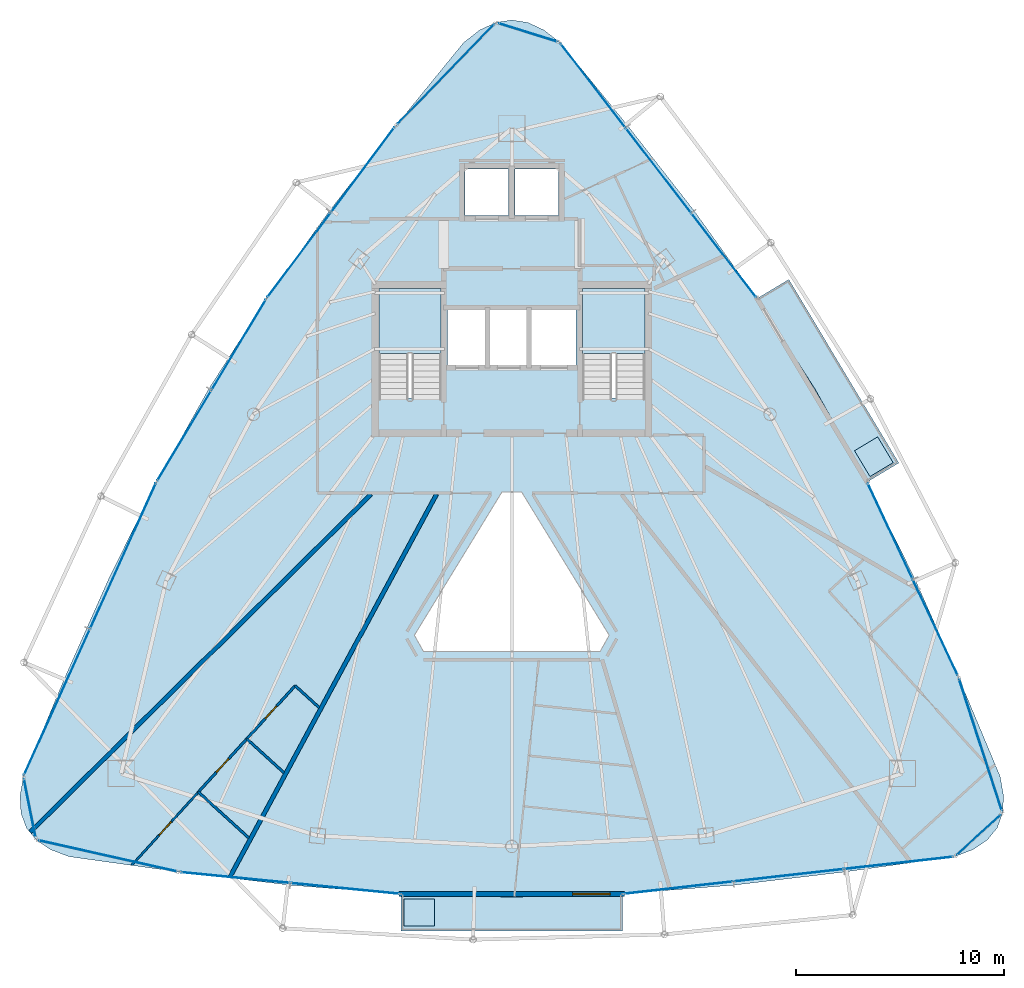
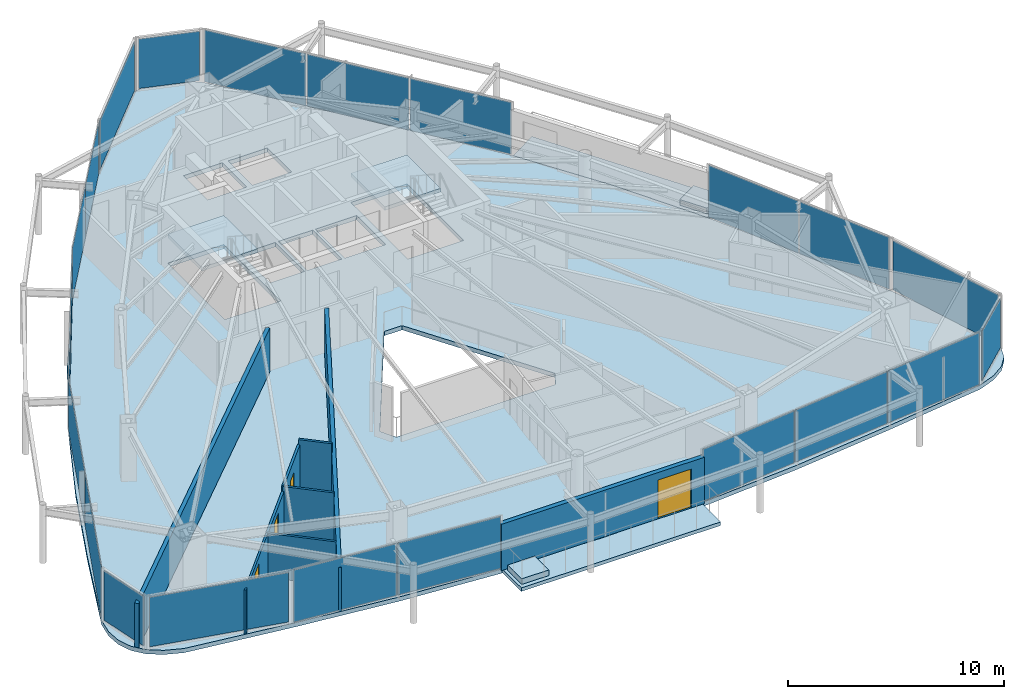
# One storey, part 28 of 33: 22 plates, 9 walls, 7 slabs, 4 doors, 4 openings, 15 elements without a shape of their own.
"""IFC4 building model written with IfcOpenShell, lengths in metres."""

from ifc_helpers import new_model, si_unit, direction, frame, frame_2d, origin, origin_2d, place, context, subcontext, project, spatial, polyline, rectangle, outline, extrude, material, layer, layer_set, type_object, element, fill, aggregate, save


model = new_model("IFC4")

# Units and contexts
model_context = context("Model", 3, precision=1e-05, world=origin(), true_north=direction((0.0, 1.0)))
body_context = subcontext(model_context, "Body", "Model", "MODEL_VIEW")
ifc_project = project(units=[si_unit("LENGTHUNIT", "METRE"), si_unit("AREAUNIT", "SQUARE_METRE"), si_unit("VOLUMEUNIT", "CUBIC_METRE"), si_unit("PLANEANGLEUNIT", "RADIAN"), si_unit("MASSUNIT", "GRAM", prefix="KILO")], contexts=[model_context])

# Site, building, storey
site_placement = place(None, origin())
site = spatial("IfcSite", under=ifc_project, at=site_placement, CompositionType="ELEMENT")
building_placement = place(site_placement, origin())
building = spatial("IfcBuilding", under=site, at=building_placement, Name="Orvanel Arch Residences", CompositionType="ELEMENT")
storey_placement = place(building_placement, frame((0.0, 0.0, 196.39990234375)))
storey = spatial("IfcBuildingStorey", under=building, at=storey_placement, Name="L55", CompositionType="ELEMENT", Elevation=196.39990234375)

# Curtain wall, plates
ifc_material_1 = material(Name="Bronze-anodised aluminium AA6063-T6", Category="aluminium")
ifc_layer_1 = layer(ifc_material_1, 0.175048828125)
ifc_layer_set_1 = layer_set([ifc_layer_1], Name="Bronze-anodised aluminium AA6063-T6")
curtain_wall_type_1 = type_object("IfcCurtainWallType", Name="CW4-HI-SYS", PredefinedType="NOTDEFINED", material=ifc_layer_set_1)
curtain_wall_1_placement = place(storey_placement, origin())
curtain_wall_1 = element("IfcCurtainWall", 1, at=curtain_wall_1_placement, inside=storey, type_object=curtain_wall_type_1, Name="L55 CW4-HI-SYS Unitised Curtain Wall", PredefinedType="NOTDEFINED")
ifc_material_2 = material(Name="Double-glazed solar-control low-E safety glass", Category="glass")
ifc_layer_2 = layer(ifc_material_2, 0.028076171875)
ifc_layer_set_2 = layer_set([ifc_layer_2], Name="Double-glazed solar-control low-E safety glass")
plate_type_1 = type_object("IfcPlateType", Name="PNL-GLZ-28", PredefinedType="CURTAIN_PANEL", material=ifc_layer_set_2)
plate_1_placement = place(storey_placement, frame((25.83154296875, 39.407958984375, 0.06005859375), z_axis=(0.0, 0.0, 1.0), x_axis=(-0.598944172287, -0.800790783216, 0.0)))
plate_1 = element("IfcPlate", 2, at=plate_1_placement, type_object=plate_type_1, Name="CW-S4 panel 1.1", PredefinedType="CURTAIN_PANEL", context=body_context, shape_type="SweptSolid", body=[
    extrude(rectangle(XDim=5.057373046875, YDim=0.028076171875, at=origin_2d()), origin(), (0.0, 0.0, 1.0), 2.93994140625),
])
plate_2_placement = place(storey_placement, frame((22.763427734375, 35.305908203125, 0.06005859375), z_axis=(0.0, 0.0, 1.0), x_axis=(-0.598944172287, -0.800790783216, 0.0)))
plate_2 = element("IfcPlate", 3, at=plate_2_placement, type_object=plate_type_1, Name="CW-S4 panel 2.1", PredefinedType="CURTAIN_PANEL", context=body_context, shape_type="SweptSolid", body=[
    extrude(rectangle(XDim=5.057373046875, YDim=0.028076171875, at=origin_2d()), origin(), (0.0, 0.0, 1.0), 2.93994140625),
])
aggregate(curtain_wall_1, [plate_1, plate_2])

curtain_wall_2_placement = place(storey_placement, origin())
curtain_wall_2 = element("IfcCurtainWall", 4, at=curtain_wall_2_placement, inside=storey, type_object=curtain_wall_type_1, Name="L55 CW4-HI-SYS Unitised Curtain Wall", PredefinedType="NOTDEFINED")
plate_3_placement = place(storey_placement, frame((19.8603515625, 30.9833984375, 0.06005859375), z_axis=(0.0, 0.0, 1.0), x_axis=(-0.514495755426, -0.857492925713, 0.0)))
plate_3 = element("IfcPlate", 5, at=plate_3_placement, type_object=plate_type_1, Name="CW-S4 panel 1.1", PredefinedType="CURTAIN_PANEL", context=body_context, shape_type="SweptSolid", body=[
    extrude(rectangle(XDim=5.03076171875, YDim=0.028076171875, at=origin_2d()), origin(), (0.0, 0.0, 1.0), 2.93994140625),
])
plate_4_placement = place(storey_placement, frame((17.238525390625, 26.61376953125, 0.06005859375), z_axis=(0.0, 0.0, 1.0), x_axis=(-0.514495755426, -0.857492925713, 0.0)))
plate_4 = element("IfcPlate", 6, at=plate_4_placement, type_object=plate_type_1, Name="CW-S4 panel 2.1", PredefinedType="CURTAIN_PANEL", context=body_context, shape_type="SweptSolid", body=[
    extrude(rectangle(XDim=5.03076171875, YDim=0.028076171875, at=origin_2d()), origin(), (0.0, 0.0, 1.0), 2.93994140625),
])
aggregate(curtain_wall_2, [plate_3, plate_4])

curtain_wall_3_placement = place(storey_placement, origin())
curtain_wall_3 = element("IfcCurtainWall", 7, at=curtain_wall_3_placement, inside=storey, type_object=curtain_wall_type_1, Name="L55 CW4-HI-SYS Unitised Curtain Wall", PredefinedType="NOTDEFINED")
plate_5_placement = place(storey_placement, frame((14.289794921875, 20.81787109375, 0.06005859375), z_axis=(0.0, 0.0, 1.0), x_axis=(-0.41176638777, -0.911289439148, 0.0)))
plate_5 = element("IfcPlate", 8, at=plate_5_placement, type_object=plate_type_1, Name="CW-S4 panel 1.1", PredefinedType="CURTAIN_PANEL", context=body_context, shape_type="SweptSolid", body=[
    extrude(rectangle(XDim=7.656982421875, YDim=0.028076171875, at=origin_2d()), origin(), (0.0, 0.0, 1.0), 2.93994140625),
])
plate_6_placement = place(storey_placement, frame((11.110107421875, 13.781005859375, 0.06005859375), z_axis=(0.0, 0.0, 1.0), x_axis=(-0.41176638777, -0.911289439148, 0.0)))
plate_6 = element("IfcPlate", 9, at=plate_6_placement, type_object=plate_type_1, Name="CW-S4 panel 2.1", PredefinedType="CURTAIN_PANEL", context=body_context, shape_type="SweptSolid", body=[
    extrude(rectangle(XDim=7.656982421875, YDim=0.028076171875, at=origin_2d()), origin(), (0.0, 0.0, 1.0), 2.93994140625),
])
aggregate(curtain_wall_3, [plate_5, plate_6])

curtain_wall_4_placement = place(storey_placement, origin())
curtain_wall_4 = element("IfcCurtainWall", 10, at=curtain_wall_4_placement, inside=storey, type_object=curtain_wall_type_1, Name="L55 CW4-HI-SYS Unitised Curtain Wall", PredefinedType="NOTDEFINED")
plate_7_placement = place(storey_placement, frame((19.704345703125, 5.343017578125, 0.06005859375), z_axis=(0.0, 0.0, 1.0), x_axis=(0.99514517761, -0.098417861591, 0.0)))
plate_7 = element("IfcPlate", 11, at=plate_7_placement, type_object=plate_type_1, Name="CW-S4 panel 1.1", PredefinedType="CURTAIN_PANEL", context=body_context, shape_type="SweptSolid", body=[
    extrude(rectangle(XDim=5.23681640625, YDim=0.028076171875, at=origin_2d()), origin(), (0.0, 0.0, 1.0), 2.93994140625),
])
plate_8_placement = place(storey_placement, frame((24.98046875, 4.821044921875, 0.06005859375), z_axis=(0.0, 0.0, 1.0), x_axis=(0.99514517761, -0.098417861591, 0.0)))
plate_8 = element("IfcPlate", 12, at=plate_8_placement, type_object=plate_type_1, Name="CW-S4 panel 2.1", PredefinedType="CURTAIN_PANEL", context=body_context, shape_type="SweptSolid", body=[
    extrude(rectangle(XDim=5.23681640625, YDim=0.028076171875, at=origin_2d()), origin(), (0.0, 0.0, 1.0), 2.93994140625),
])
aggregate(curtain_wall_4, [plate_7, plate_8])

curtain_wall_5_placement = place(storey_placement, origin())
curtain_wall_5 = element("IfcCurtainWall", 13, at=curtain_wall_5_placement, inside=storey, type_object=curtain_wall_type_1, Name="L55 CW4-HI-SYS Unitised Curtain Wall", PredefinedType="NOTDEFINED")
plate_9_placement = place(storey_placement, frame((41.022705078125, 4.85791015625, 0.06005859375), z_axis=(0.0, 0.0, 1.0), x_axis=(0.993730796907, 0.111799388547, 0.0)))
plate_9 = element("IfcPlate", 14, at=plate_9_placement, type_object=plate_type_1, Name="CW-S4 panel 1.1", PredefinedType="CURTAIN_PANEL", context=body_context, shape_type="SweptSolid", body=[
    extrude(rectangle(XDim=5.25146484375, YDim=0.028076171875, at=origin_2d()), origin(), (0.0, 0.0, 1.0), 2.93994140625),
])
plate_10_placement = place(storey_placement, frame((46.322021484375, 5.4541015625, 0.06005859375), z_axis=(0.0, 0.0, 1.0), x_axis=(0.993730796907, 0.111799388547, 0.0)))
plate_10 = element("IfcPlate", 15, at=plate_10_placement, type_object=plate_type_1, Name="CW-S4 panel 2.1", PredefinedType="CURTAIN_PANEL", context=body_context, shape_type="SweptSolid", body=[
    extrude(rectangle(XDim=5.283935546875, YDim=0.028076171875, at=origin_2d()), origin(), (0.0, 0.0, 1.0), 2.93994140625),
])
plate_11_placement = place(storey_placement, frame((51.62109375, 6.05029296875, 0.06005859375), z_axis=(0.0, 0.0, 1.0), x_axis=(0.993730796907, 0.111799388547, 0.0)))
plate_11 = element("IfcPlate", 16, at=plate_11_placement, type_object=plate_type_1, Name="CW-S4 panel 3.1", PredefinedType="CURTAIN_PANEL", context=body_context, shape_type="SweptSolid", body=[
    extrude(rectangle(XDim=5.25146484375, YDim=0.028076171875, at=origin_2d()), origin(), (0.0, 0.0, 1.0), 2.93994140625),
])
aggregate(curtain_wall_5, [plate_9, plate_10, plate_11])

curtain_wall_6_placement = place(storey_placement, origin())
curtain_wall_6 = element("IfcCurtainWall", 17, at=curtain_wall_6_placement, inside=storey, type_object=curtain_wall_type_1, Name="L55 CW4-HI-SYS Unitised Curtain Wall", PredefinedType="NOTDEFINED")
plate_12_placement = place(storey_placement, frame((53.3828125, 17.378662109375, 0.06005859375), z_axis=(0.0, 0.0, 1.0), x_axis=(-0.424493509228, 0.905430980596, 0.0)))
plate_12 = element("IfcPlate", 18, at=plate_12_placement, type_object=plate_type_1, Name="CW-S4 panel 1.1", PredefinedType="CURTAIN_PANEL", context=body_context, shape_type="SweptSolid", body=[
    extrude(rectangle(XDim=5.05810546875, YDim=0.028076171875, at=origin_2d()), origin(), (0.0, 0.0, 1.0), 2.93994140625),
])
plate_13_placement = place(storey_placement, frame((51.208251953125, 22.017333984375, 0.06005859375), z_axis=(0.0, 0.0, 1.0), x_axis=(-0.424493509228, 0.905430980596, 0.0)))
plate_13 = element("IfcPlate", 19, at=plate_13_placement, type_object=plate_type_1, Name="CW-S4 panel 2.1", PredefinedType="CURTAIN_PANEL", context=body_context, shape_type="SweptSolid", body=[
    extrude(rectangle(XDim=5.05810546875, YDim=0.028076171875, at=origin_2d()), origin(), (0.0, 0.0, 1.0), 2.93994140625),
])
aggregate(curtain_wall_6, [plate_12, plate_13])

curtain_wall_7_placement = place(storey_placement, origin())
curtain_wall_7 = element("IfcCurtainWall", 20, at=curtain_wall_7_placement, inside=storey, type_object=curtain_wall_type_1, Name="L55 CW4-HI-SYS Unitised Curtain Wall", PredefinedType="NOTDEFINED")
plate_14_placement = place(storey_placement, frame((43.203125, 35.289794921875, 0.06005859375), z_axis=(0.0, 0.0, 1.0), x_axis=(-0.610134485069, 0.792297867049, 0.0)))
plate_14 = element("IfcPlate", 21, at=plate_14_placement, type_object=plate_type_1, Name="CW-S4 panel 1.1", PredefinedType="CURTAIN_PANEL", context=body_context, shape_type="SweptSolid", body=[
    extrude(rectangle(XDim=5.07177734375, YDim=0.028076171875, at=origin_2d()), origin(), (0.0, 0.0, 1.0), 2.93994140625),
])
plate_15_placement = place(storey_placement, frame((40.05908203125, 39.37255859375, 0.06005859375), z_axis=(0.0, 0.0, 1.0), x_axis=(-0.610134485069, 0.792297867049, 0.0)))
plate_15 = element("IfcPlate", 22, at=plate_15_placement, type_object=plate_type_1, Name="CW-S4 panel 2.1", PredefinedType="CURTAIN_PANEL", context=body_context, shape_type="SweptSolid", body=[
    extrude(rectangle(XDim=5.104248046875, YDim=0.028076171875, at=origin_2d()), origin(), (0.0, 0.0, 1.0), 2.93994140625),
])
plate_16_placement = place(storey_placement, frame((36.914794921875, 43.455322265625, 0.06005859375), z_axis=(0.0, 0.0, 1.0), x_axis=(-0.610134485069, 0.792297867049, 0.0)))
plate_16 = element("IfcPlate", 23, at=plate_16_placement, type_object=plate_type_1, Name="CW-S4 panel 3.1", PredefinedType="CURTAIN_PANEL", context=body_context, shape_type="SweptSolid", body=[
    extrude(rectangle(XDim=5.07177734375, YDim=0.028076171875, at=origin_2d()), origin(), (0.0, 0.0, 1.0), 2.93994140625),
])
aggregate(curtain_wall_7, [plate_14, plate_15, plate_16])

# Curtain wall, plate
ifc_layer_3 = layer(ifc_material_1, 0.18994140625)
ifc_layer_set_3 = layer_set([ifc_layer_3], Name="Bronze-anodised aluminium AA6063-T6")
curtain_wall_type_2 = type_object("IfcCurtainWallType", Name="CW5-CRN-SYS", PredefinedType="NOTDEFINED", material=ifc_layer_set_3)
curtain_wall_8_placement = place(storey_placement, origin())
curtain_wall_8 = element("IfcCurtainWall", 24, at=curtain_wall_8_placement, inside=storey, type_object=curtain_wall_type_2, Name="L55 CW5-CRN-SYS Unitised Curtain Wall", PredefinedType="NOTDEFINED")
ifc_layer_4 = layer(ifc_material_2, 0.031982421875)
ifc_layer_set_4 = layer_set([ifc_layer_4], Name="Double-glazed solar-control low-E safety glass")
plate_type_2 = type_object("IfcPlateType", Name="PNL-GLZ-32", PredefinedType="CURTAIN_PANEL", material=ifc_layer_set_4)
plate_17_placement = place(storey_placement, frame((33.77197265625, 46.012451171875, 0.1298828125), z_axis=(0.0, 0.0, 1.0), x_axis=(-0.954846908843, 0.297098267705, 0.0)))
plate_17 = element("IfcPlate", 25, at=plate_17_placement, type_object=plate_type_2, Name="CW-S5 panel 1.1", PredefinedType="CURTAIN_PANEL", context=body_context, shape_type="SweptSolid", body=[
    extrude(rectangle(XDim=2.894287109375, YDim=0.031982421875, at=origin_2d()), origin(), (0.0, 0.0, 1.0), 2.800048828125),
])
aggregate(curtain_wall_8, [plate_17])

curtain_wall_9_placement = place(storey_placement, origin())
curtain_wall_9 = element("IfcCurtainWall", 26, at=curtain_wall_9_placement, inside=storey, type_object=curtain_wall_type_2, Name="L55 CW5-CRN-SYS Unitised Curtain Wall", PredefinedType="NOTDEFINED")
plate_18_placement = place(storey_placement, frame((29.8125, 43.9970703125, 0.1298828125), z_axis=(0.0, 0.0, 1.0), x_axis=(-0.695356310733, -0.718665152295, 0.0)))
plate_18 = element("IfcPlate", 27, at=plate_18_placement, type_object=plate_type_2, Name="CW-S5 panel 1.1", PredefinedType="CURTAIN_PANEL", context=body_context, shape_type="SweptSolid", body=[
    extrude(rectangle(XDim=6.607177734375, YDim=0.031982421875, at=origin_2d()), origin(), (0.0, 0.0, 1.0), 2.800048828125),
])
aggregate(curtain_wall_9, [plate_18])

curtain_wall_10_placement = place(storey_placement, origin())
curtain_wall_10 = element("IfcCurtainWall", 28, at=curtain_wall_10_placement, inside=storey, type_object=curtain_wall_type_2, Name="L55 CW5-CRN-SYS Unitised Curtain Wall", PredefinedType="NOTDEFINED")
plate_19_placement = place(storey_placement, frame((9.803466796875, 8.6875, 0.1298828125), z_axis=(0.0, 0.0, 1.0), x_axis=(0.195490565454, -0.980705582129, 0.0)))
plate_19 = element("IfcPlate", 29, at=plate_19_placement, type_object=plate_type_2, Name="CW-S5 panel 1.1", PredefinedType="CURTAIN_PANEL", context=body_context, shape_type="SweptSolid", body=[
    extrude(rectangle(XDim=2.7744140625, YDim=0.031982421875, at=origin_2d()), origin(), (0.0, 0.0, 1.0), 2.800048828125),
])
aggregate(curtain_wall_10, [plate_19])

curtain_wall_11_placement = place(storey_placement, origin())
curtain_wall_11 = element("IfcCurtainWall", 30, at=curtain_wall_11_placement, inside=storey, type_object=curtain_wall_type_2, Name="L55 CW5-CRN-SYS Unitised Curtain Wall", PredefinedType="NOTDEFINED")
plate_20_placement = place(storey_placement, frame((13.56103515625, 6.384521484375, 0.1298828125), z_axis=(0.0, 0.0, 1.0), x_axis=(0.975666023426, -0.219261968278, 0.0)))
plate_20 = element("IfcPlate", 31, at=plate_20_placement, type_object=plate_type_2, Name="CW-S5 panel 1.1", PredefinedType="CURTAIN_PANEL", context=body_context, shape_type="SweptSolid", body=[
    extrude(rectangle(XDim=6.7373046875, YDim=0.031982421875, at=origin_2d()), origin(), (0.0, 0.0, 1.0), 2.800048828125),
])
aggregate(curtain_wall_11, [plate_20])

curtain_wall_12_placement = place(storey_placement, origin())
curtain_wall_12 = element("IfcCurtainWall", 32, at=curtain_wall_12_placement, inside=storey, type_object=curtain_wall_type_2, Name="L55 CW5-CRN-SYS Unitised Curtain Wall", PredefinedType="NOTDEFINED")
plate_21_placement = place(storey_placement, frame((55.468017578125, 7.39990234375, 0.1298828125), z_axis=(0.0, 0.0, 1.0), x_axis=(0.740116617889, 0.672478543839, 0.0)))
plate_21 = element("IfcPlate", 33, at=plate_21_placement, type_object=plate_type_2, Name="CW-S5 panel 1.1", PredefinedType="CURTAIN_PANEL", context=body_context, shape_type="SweptSolid", body=[
    extrude(rectangle(XDim=2.775146484375, YDim=0.031982421875, at=origin_2d()), origin(), (0.0, 0.0, 1.0), 2.800048828125),
])
aggregate(curtain_wall_12, [plate_21])

curtain_wall_13_placement = place(storey_placement, origin())
curtain_wall_13 = element("IfcCurtainWall", 34, at=curtain_wall_13_placement, inside=storey, type_object=curtain_wall_type_2, Name="L55 CW5-CRN-SYS Unitised Curtain Wall", PredefinedType="NOTDEFINED")
plate_22_placement = place(storey_placement, frame((55.556396484375, 11.7294921875, 0.1298828125), z_axis=(0.0, 0.0, 1.0), x_axis=(-0.308522517622, 0.951217039439, 0.0)))
plate_22 = element("IfcPlate", 35, at=plate_22_placement, type_object=plate_type_2, Name="CW-S5 panel 1.1", PredefinedType="CURTAIN_PANEL", context=body_context, shape_type="SweptSolid", body=[
    extrude(rectangle(XDim=6.561767578125, YDim=0.031982421875, at=origin_2d()), origin(), (0.0, 0.0, 1.0), 2.800048828125),
])
aggregate(curtain_wall_13, [plate_22])

# Slabs
ifc_material_3 = material(Name="Concrete N40 (40 MPa)", Category="concrete")
ifc_layer_5 = layer(ifc_material_3, 0.199951171875)
ifc_layer_set_5 = layer_set([ifc_layer_5], Name="Concrete N40 (40 MPa)")
slab_type_1 = type_object("IfcSlabType", Name="SLB-BAL-200", PredefinedType="FLOOR", material=ifc_layer_set_5)
slab_1_placement = place(storey_placement, frame((0.0, 0.0, -0.199951171875)))
element("IfcSlab", 36, at=slab_1_placement, inside=storey, type_object=slab_type_1, Name="L55 Cantilevered Balcony Slab Face 2", PredefinedType="FLOOR", context=body_context, shape_type="SweptSolid", body=[
    extrude(outline(polyline([(27.6708984375, 2.77490234375), (38.3291015625, 2.77490234375), (38.3291015625, 4.554931640625), (33.0, 4.406982421875), (27.6708984375, 4.554931640625), (27.6708984375, 2.77490234375)])), origin(), (0.0, 0.0, 1.0), 0.199951171875),
])
slab_2_placement = place(storey_placement, frame((0.0, 0.0, -0.199951171875)))
element("IfcSlab", 37, at=slab_2_placement, inside=storey, type_object=slab_type_1, Name="L55 Cantilevered Balcony Slab Face 3", PredefinedType="FLOOR", context=body_context, shape_type="SweptSolid", body=[
    extrude(outline(polyline([(51.625, 25.299072265625), (46.3291015625, 34.12890625), (44.802001953125, 33.212890625), (47.577880859375, 28.8740234375), (50.09912109375, 24.384033203125), (51.625, 25.299072265625)])), origin(), (0.0, 0.0, 1.0), 0.199951171875),
])

# Stair, slab
ifc_material_4 = material(Name="Precast concrete N50 (50 MPa)", Category="concrete")
stair_type = type_object("IfcStairType", Name="STR-DOG-184", PredefinedType="USERDEFINED", material=ifc_material_4)
stair_1_placement = place(storey_placement, origin())
stair_1 = element("IfcStair", 38, at=stair_1_placement, inside=storey, type_object=stair_type, Name="L55 Fire-Isolated Core Exit Stair 1", ObjectType="TWO_RETURN_STAIR", PredefinedType="USERDEFINED")
ifc_layer_6 = layer(ifc_material_3, 0.199951171875)
ifc_layer_set_6 = layer_set([ifc_layer_6], Name="Concrete N40 (40 MPa)")
slab_type_2 = type_object("IfcSlabType", Name="SLB-LND-200", PredefinedType="LANDING", material=ifc_layer_set_6)
slab_3_placement = place(storey_placement, frame((0.0, 0.0, 1.4501953125)))
slab_3 = element("IfcSlab", 39, at=slab_3_placement, type_object=slab_type_2, Name="ST-1 landing 1", PredefinedType="LANDING", context=body_context, shape_type="SweptSolid", body=[
    extrude(outline(polyline([(29.60009765625, 30.56005859375), (29.60009765625, 33.699951171875), (26.60009765625, 33.699951171875), (26.60009765625, 30.56005859375), (29.60009765625, 30.56005859375)])), origin(), (0.0, 0.0, 1.0), 0.199951171875),
])
aggregate(stair_1, [slab_3])

stair_2_placement = place(storey_placement, origin())
stair_2 = element("IfcStair", 40, at=stair_2_placement, inside=storey, type_object=stair_type, Name="L55 Fire-Isolated Core Exit Stair 2", ObjectType="TWO_RETURN_STAIR", PredefinedType="USERDEFINED")
slab_4_placement = place(storey_placement, frame((0.0, 0.0, 1.4501953125)))
slab_4 = element("IfcSlab", 41, at=slab_4_placement, type_object=slab_type_2, Name="ST-2 landing 1", PredefinedType="LANDING", context=body_context, shape_type="SweptSolid", body=[
    extrude(outline(polyline([(39.39990234375, 30.56005859375), (39.39990234375, 33.699951171875), (36.39990234375, 33.699951171875), (36.39990234375, 30.56005859375), (39.39990234375, 30.56005859375)])), origin(), (0.0, 0.0, 1.0), 0.199951171875),
])
aggregate(stair_2, [slab_4])

# Slabs
ifc_material_5 = material(Name="Structural architectural precast concrete N40 (40 MPa) planter", Category="concrete")
ifc_layer_7 = layer(ifc_material_5, 0.320068359375)
ifc_layer_set_7 = layer_set([ifc_layer_7], Name="Structural architectural precast concrete N40 (40 MPa) planter")
slab_type_3 = type_object("IfcSlabType", Name="SLB-PLN-320", PredefinedType="USERDEFINED", material=ifc_layer_set_7)
slab_5_placement = place(storey_placement, origin())
element("IfcSlab", 42, at=slab_5_placement, inside=storey, type_object=slab_type_3, Name="L55 Balcony TREE PLANTER Face 2", ObjectType="PLANTER", PredefinedType="USERDEFINED", context=body_context, shape_type="SweptSolid", body=[
    extrude(outline(polyline([(27.821044921875, 3.0048828125), (29.27099609375, 3.0048828125), (29.27099609375, 4.304931640625), (27.821044921875, 4.304931640625), (27.821044921875, 3.0048828125)])), origin(), (0.0, 0.0, 1.0), 0.320068359375),
])
slab_6_placement = place(storey_placement, origin())
element("IfcSlab", 43, at=slab_6_placement, inside=storey, type_object=slab_type_3, Name="L55 Balcony TREE PLANTER Face 3", ObjectType="PLANTER", PredefinedType="USERDEFINED", context=body_context, shape_type="SweptSolid", body=[
    extrude(outline(polyline([(51.35107421875, 25.30908203125), (50.60498046875, 26.552978515625), (49.489990234375, 25.884033203125), (50.236083984375, 24.64111328125), (51.35107421875, 25.30908203125)])), origin(), (0.0, 0.0, 1.0), 0.320068359375),
])
ifc_layer_8 = layer(ifc_material_3, 0.239990234375)
ifc_layer_set_8 = layer_set([ifc_layer_8], Name="Concrete N40 (40 MPa)")
slab_type_4 = type_object("IfcSlabType", Name="SLB-TYP-240", PredefinedType="FLOOR", material=ifc_layer_set_8)
slab_7_placement = place(storey_placement, frame((0.0, 0.0, -0.239990234375)))
element("IfcSlab", 44, at=slab_7_placement, inside=storey, type_object=slab_type_4, Name="L55 Tower Floor Slab", PredefinedType="FLOOR", context=body_context, shape_type="SweptSolid", body=[
    extrude(outline(polyline([(35.31591796875, 45.531982421875), (34.5439453125, 46.133056640625), (33.77197265625, 46.492919921875), (33.0, 46.614013671875), (32.22802734375, 46.492919921875), (31.4560546875, 46.133056640625), (30.68408203125, 45.531982421875), (27.39697265625, 41.5009765625), (24.20703125, 37.410888671875), (21.197998046875, 33.212890625), (18.422119140625, 28.8740234375), (15.90087890625, 24.384033203125), (13.614990234375, 19.751953125), (11.508056640625, 15.011962890625), (9.4990234375, 10.215087890625), (9.3330078125, 9.27099609375), (9.37890625, 8.447021484375), (9.636962890625, 7.742919921875), (10.10791015625, 7.159912109375), (10.7900390625, 6.696044921875), (11.68505859375, 6.35302734375), (17.013916015625, 5.60888671875), (22.343017578125, 4.97705078125), (27.6708984375, 4.554931640625), (33.0, 4.406982421875), (38.3291015625, 4.554931640625), (43.656982421875, 4.97705078125), (48.986083984375, 5.60888671875), (54.31494140625, 6.35302734375), (55.2099609375, 6.696044921875), (55.89208984375, 7.159912109375), (56.363037109375, 7.742919921875), (56.62109375, 8.447021484375), (56.6669921875, 9.27099609375), (56.5009765625, 10.215087890625), (54.491943359375, 15.011962890625), (52.385009765625, 19.751953125), (50.09912109375, 24.384033203125), (47.577880859375, 28.8740234375), (44.802001953125, 33.212890625), (41.7919921875, 37.410888671875), (38.60302734375, 41.5009765625), (35.31591796875, 45.531982421875)]), holes=[polyline([(26.60009765625, 28.429931640625), (26.60009765625, 33.699951171875), (29.60009765625, 33.699951171875), (29.60009765625, 28.429931640625), (26.60009765625, 28.429931640625)]), polyline([(36.39990234375, 28.429931640625), (36.39990234375, 33.699951171875), (39.39990234375, 33.699951171875), (39.39990234375, 28.429931640625), (36.39990234375, 28.429931640625)]), polyline([(29.89990234375, 32.64990234375), (31.75, 32.64990234375), (31.75, 29.949951171875), (29.89990234375, 29.949951171875), (29.89990234375, 32.64990234375)]), polyline([(31.89990234375, 32.64990234375), (33.75, 32.64990234375), (33.75, 29.949951171875), (31.89990234375, 29.949951171875), (31.89990234375, 32.64990234375)]), polyline([(33.89990234375, 32.64990234375), (36.10009765625, 32.64990234375), (36.10009765625, 29.949951171875), (33.89990234375, 29.949951171875), (33.89990234375, 32.64990234375)]), polyline([(30.75, 39.449951171875), (32.85009765625, 39.449951171875), (32.85009765625, 37.199951171875), (30.75, 37.199951171875), (30.75, 39.449951171875)]), polyline([(33.14990234375, 39.449951171875), (35.25, 39.449951171875), (35.25, 37.199951171875), (33.14990234375, 37.199951171875), (33.14990234375, 39.449951171875)]), polyline([(37.68798828125, 17.006103515625), (37.2529296875, 16.22802734375), (28.7470703125, 16.22802734375), (28.31201171875, 17.006103515625), (32.52490234375, 23.89794921875), (33.47509765625, 23.89794921875), (37.68798828125, 17.006103515625)])]), origin(), (0.0, 0.0, 1.0), 0.239990234375),
])

# Wall, opening, door
ifc_layer_9 = layer(ifc_material_4, 0.239990234375)
ifc_layer_set_9 = layer_set([ifc_layer_9], Name="Precast concrete N50 (50 MPa)")
wall_type_1 = type_object("IfcWallType", Name="EW-BAL-240", PredefinedType="SOLIDWALL", material=ifc_layer_set_9)
wall_1_placement = place(storey_placement, frame((27.572998046875, 4.554931640625, 0.0), z_axis=(0.0, 0.0, 1.0), x_axis=(1.0, 0.0, 0.0)))
wall_1 = element("IfcWall", 45, at=wall_1_placement, inside=storey, type_object=wall_type_1, Name="L55 Balcony Threshold Wall Face 2", PredefinedType="SOLIDWALL", context=body_context, shape_type="SweptSolid", body=[
    extrude(rectangle(XDim=10.85400390625, YDim=0.239990234375, at=frame_2d((5.427001953125, 0.0))), origin(), (0.0, 0.0, 1.0), 2.6240234375),
])
opening_1_placement = place(wall_1_placement, frame((8.35498046875, 0.0, 0.0)))
opening_1 = element("IfcOpeningElement", 46, at=opening_1_placement, cuts=wall_1, Name="Opening DB-180", PredefinedType="OPENING", context=body_context, shape_type="SweptSolid", body=[
    extrude(rectangle(XDim=1.800048828125, YDim=2.199951171875, at=frame_2d((0.89990234375, 1.10009765625))), frame((0.0, 0.1298828125, 0.0), z_axis=(0.0, -1.0, 0.0), x_axis=(1.0, 0.0, 0.0)), (0.0, 0.0, 1.0), 0.260009765625),
])
door_type_1 = type_object("IfcDoorType", Name="DR-BAL-1800", OperationType="NOTDEFINED", PredefinedType="DOOR", material=ifc_material_1)
door_1_placement = place(opening_1_placement, origin())
door_1 = element("IfcDoor", 47, at=door_1_placement, inside=storey, type_object=door_type_1, Name="DR-L55-BAL-F2 L55 Planted Balcony Access Door Face 2", OperationType="SINGLE_SWING_RIGHT", OverallHeight=2.199951171875, OverallWidth=1.800048828125, PredefinedType="DOOR", context=body_context, shape_type="SweptSolid", body=[
    extrude(rectangle(XDim=1.800048828125, YDim=2.199951171875, at=frame_2d((0.89990234375, 1.10009765625))), frame((0.0, 0.02490234375, 0.0), z_axis=(0.0, -1.0, 0.0), x_axis=(1.0, 0.0, 0.0)), (0.0, 0.0, 1.0), 0.050048828125),
])
fill(opening_1, door_1)

# Walls
ifc_material_6 = material(Name="Fire-rated plasterboard lined steel stud partition", Category="steel")
ifc_layer_10 = layer(ifc_material_6, 0.199951171875)
ifc_layer_set_10 = layer_set([ifc_layer_10], Name="Fire-rated plasterboard lined steel stud partition")
wall_type_2 = type_object("IfcWallType", Name="W-DEM-200", PredefinedType="PARTITIONING", material=ifc_layer_set_10)
wall_2_placement = place(storey_placement, frame((19.416015625, 5.337890625, 0.0), z_axis=(0.0, 0.0, 1.0), x_axis=(0.475065982754, 0.879950175879, 0.0)))
element("IfcWall", 48, at=wall_2_placement, inside=storey, type_object=wall_type_2, Name="L55 Inter-Tenancy Acoustic Demising Wall", PredefinedType="PARTITIONING", context=body_context, shape_type="SweptSolid", body=[
    extrude(rectangle(XDim=20.969482421875, YDim=0.199951171875, at=frame_2d((10.48486328125, 0.0))), origin(), (0.0, 0.0, 1.0), 2.4921875),
])
wall_3_placement = place(storey_placement, frame((26.23095703125, 23.7900390625, 0.0), z_axis=(0.0, 0.0, 1.0), x_axis=(-0.710239236144, -0.703960387693, 0.0)))
element("IfcWall", 49, at=wall_3_placement, inside=storey, type_object=wall_type_2, Name="L55 Inter-Tenancy Acoustic Demising Wall", PredefinedType="PARTITIONING", context=body_context, shape_type="SweptSolid", body=[
    extrude(rectangle(XDim=23.096435546875, YDim=0.199951171875, at=frame_2d((11.54833984375, 0.0))), origin(), (0.0, 0.0, 1.0), 2.4921875),
])

# Wall, opening, door
ifc_material_7 = material(Name="Acoustic plasterboard lined twin-stud partition", Category="gypsum")
ifc_layer_11 = layer(ifc_material_7, 0.10009765625)
ifc_layer_set_11 = layer_set([ifc_layer_11], Name="Acoustic plasterboard lined twin-stud partition")
wall_type_3 = type_object("IfcWallType", Name="W-INT-100", PredefinedType="PARTITIONING", material=ifc_layer_set_11)
wall_4_placement = place(storey_placement, frame((17.9169921875, 9.4609375, 0.0), z_axis=(0.0, 0.0, 1.0), x_axis=(-0.673104266943, -0.739547595374, 0.0)))
wall_4 = element("IfcWall", 50, at=wall_4_placement, inside=storey, type_object=wall_type_3, Name="L55 Flat E Internal Partition", PredefinedType="PARTITIONING", context=body_context, shape_type="SweptSolid", body=[
    extrude(rectangle(XDim=4.75830078125, YDim=0.10009765625, at=frame_2d((2.379150390625, 0.0))), origin(), (0.0, 0.0, 1.0), 2.4921875),
])
opening_2_placement = place(wall_4_placement, frame((1.93896484375, 0.0, 0.0)))
opening_2 = element("IfcOpeningElement", 51, at=opening_2_placement, cuts=wall_4, Name="Opening DI-088", PredefinedType="OPENING", context=body_context, shape_type="SweptSolid", body=[
    extrude(rectangle(XDim=0.8798828125, YDim=2.10009765625, at=frame_2d((0.43994140625, 1.050048828125))), frame((0.0, 0.06005859375, 0.0), z_axis=(0.0, -1.0, 0.0), x_axis=(1.0, 0.0, 0.0)), (0.0, 0.0, 1.0), 0.1201171875),
])
ifc_material_8 = material(Name="Solid-core European oak veneer fire door leaf", Category="wood")
door_type_2 = type_object("IfcDoorType", Name="DR-INT-880", OperationType="NOTDEFINED", PredefinedType="DOOR", material=ifc_material_8)
door_2_placement = place(opening_2_placement, origin())
door_2 = element("IfcDoor", 52, at=door_2_placement, inside=storey, type_object=door_type_2, Name="DR-L55-E-BED1 L55 Flat E Bedroom 1 Door", OperationType="SINGLE_SWING_LEFT", OverallHeight=2.10009765625, OverallWidth=0.8798828125, PredefinedType="DOOR", context=body_context, shape_type="SweptSolid", body=[
    extrude(rectangle(XDim=0.8798828125, YDim=2.10009765625, at=frame_2d((0.43994140625, 1.050048828125))), frame((0.0, 0.02490234375, 0.0), z_axis=(0.0, -1.0, 0.0), x_axis=(1.0, 0.0, 0.0)), (0.0, 0.0, 1.0), 0.050048828125),
])
fill(opening_2, door_2)

# Wall
ifc_layer_12 = layer(ifc_material_7, 0.1201171875)
ifc_layer_set_12 = layer_set([ifc_layer_12], Name="Acoustic plasterboard lined twin-stud partition")
wall_type_4 = type_object("IfcWallType", Name="W-WET-120", PredefinedType="PARTITIONING", material=ifc_layer_set_12)
wall_5_placement = place(storey_placement, frame((23.736083984375, 13.51904296875, 0.0), z_axis=(0.0, 0.0, 1.0), x_axis=(-0.739215251716, 0.673469235846, 0.0)))
element("IfcWall", 53, at=wall_5_placement, inside=storey, type_object=wall_type_4, Name="L55 Flat E Bathroom Partition", PredefinedType="PARTITIONING", context=body_context, shape_type="SweptSolid", body=[
    extrude(rectangle(XDim=1.57080078125, YDim=0.1201171875, at=frame_2d((0.785400390625, 0.0))), origin(), (0.0, 0.0, 1.0), 3.06005859375),
])

# Wall, opening, door
wall_6_placement = place(storey_placement, frame((22.574951171875, 14.576904296875, 0.0), z_axis=(0.0, 0.0, 1.0), x_axis=(-0.673231148277, -0.739432093563, 0.0)))
wall_6 = element("IfcWall", 54, at=wall_6_placement, inside=storey, type_object=wall_type_4, Name="L55 Flat E Bathroom Partition", PredefinedType="PARTITIONING", context=body_context, shape_type="SweptSolid", body=[
    extrude(rectangle(XDim=3.459228515625, YDim=0.1201171875, at=frame_2d((1.7294921875, 0.0))), origin(), (0.0, 0.0, 1.0), 2.773193359375),
])
opening_3_placement = place(wall_6_placement, frame((1.320068359375, 0.0, 0.0)))
opening_3 = element("IfcOpeningElement", 55, at=opening_3_placement, cuts=wall_6, Name="Opening DW-082", PredefinedType="OPENING", context=body_context, shape_type="SweptSolid", body=[
    extrude(rectangle(XDim=0.820068359375, YDim=2.10009765625, at=frame_2d((0.41015625, 1.050048828125))), frame((0.0, 0.070068359375, 0.0), z_axis=(0.0, -1.0, 0.0), x_axis=(1.0, 0.0, 0.0)), (0.0, 0.0, 1.0), 0.14013671875),
])
door_type_3 = type_object("IfcDoorType", Name="DR-WET-820", OperationType="NOTDEFINED", PredefinedType="DOOR", material=ifc_material_8)
door_3_placement = place(opening_3_placement, origin())
door_3 = element("IfcDoor", 56, at=door_3_placement, inside=storey, type_object=door_type_3, Name="DR-L55-E-BATH L55 Flat E Bathroom Door", OperationType="SINGLE_SWING_RIGHT", OverallHeight=2.10009765625, OverallWidth=0.820068359375, PredefinedType="DOOR", context=body_context, shape_type="SweptSolid", body=[
    extrude(rectangle(XDim=0.820068359375, YDim=2.10009765625, at=frame_2d((0.41015625, 1.050048828125))), frame((0.0, 0.02490234375, 0.0), z_axis=(0.0, -1.0, 0.0), x_axis=(1.0, 0.0, 0.0)), (0.0, 0.0, 1.0), 0.050048828125),
])
fill(opening_3, door_3)

wall_7_placement = place(storey_placement, frame((20.24609375, 12.01904296875, 0.0), z_axis=(0.0, 0.0, 1.0), x_axis=(-0.673234602732, -0.739428948368, 0.0)))
wall_7 = element("IfcWall", 57, at=wall_7_placement, inside=storey, type_object=wall_type_4, Name="L55 Flat E Internal Partition", PredefinedType="PARTITIONING", context=body_context, shape_type="SweptSolid", body=[
    extrude(rectangle(XDim=3.45947265625, YDim=0.1201171875, at=frame_2d((1.729736328125, 0.0))), origin(), (0.0, 0.0, 1.0), 2.4921875),
])
opening_4_placement = place(wall_7_placement, frame((1.2900390625, 0.0, 0.0)))
opening_4 = element("IfcOpeningElement", 58, at=opening_4_placement, cuts=wall_7, Name="Opening DI-088", PredefinedType="OPENING", context=body_context, shape_type="SweptSolid", body=[
    extrude(rectangle(XDim=0.8798828125, YDim=2.10009765625, at=frame_2d((0.43994140625, 1.050048828125))), frame((0.0, 0.070068359375, 0.0), z_axis=(0.0, -1.0, 0.0), x_axis=(1.0, 0.0, 0.0)), (0.0, 0.0, 1.0), 0.14013671875),
])
door_4_placement = place(opening_4_placement, origin())
door_4 = element("IfcDoor", 59, at=door_4_placement, inside=storey, type_object=door_type_2, Name="DR-L55-E-KIT L55 Flat E Kitchen Door", OperationType="SINGLE_SWING_LEFT", OverallHeight=2.10009765625, OverallWidth=0.8798828125, PredefinedType="DOOR", context=body_context, shape_type="SweptSolid", body=[
    extrude(rectangle(XDim=0.8798828125, YDim=2.10009765625, at=frame_2d((0.43994140625, 1.050048828125))), frame((0.0, 0.02490234375, 0.0), z_axis=(0.0, -1.0, 0.0), x_axis=(1.0, 0.0, 0.0)), (0.0, 0.0, 1.0), 0.050048828125),
])
fill(opening_4, door_4)

# Walls
wall_8_placement = place(storey_placement, frame((22.04296875, 10.383056640625, 0.0), z_axis=(0.0, 0.0, 1.0), x_axis=(-0.739435258465, 0.673227672143, 0.0)))
element("IfcWall", 60, at=wall_8_placement, inside=storey, type_object=wall_type_4, Name="L55 Flat E Bathroom Partition", PredefinedType="PARTITIONING", context=body_context, shape_type="SweptSolid", body=[
    extrude(rectangle(XDim=2.43017578125, YDim=0.1201171875, at=frame_2d((1.215087890625, 0.0))), origin(), (0.0, 0.0, 1.0), 2.773193359375),
])
wall_9_placement = place(storey_placement, frame((20.35009765625, 7.24609375, 0.0), z_axis=(0.0, 0.0, 1.0), x_axis=(-0.739496715577, 0.673160164932, 0.0)))
element("IfcWall", 61, at=wall_9_placement, inside=storey, type_object=wall_type_4, Name="L55 Flat E Internal Partition", PredefinedType="PARTITIONING", context=body_context, shape_type="SweptSolid", body=[
    extrude(rectangle(XDim=3.290283203125, YDim=0.1201171875, at=frame_2d((1.64501953125, 0.0))), origin(), (0.0, 0.0, 1.0), 2.4921875),
])

save(model, "model.ifc")
